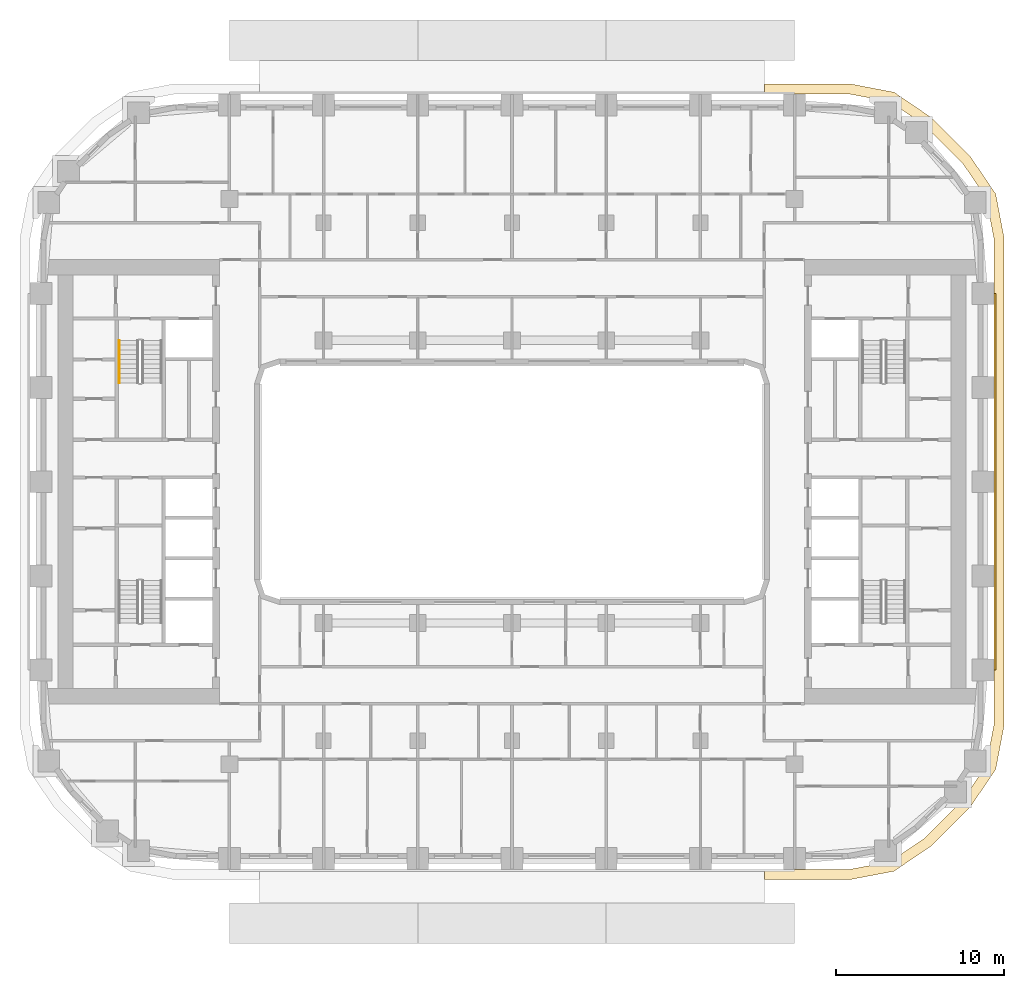
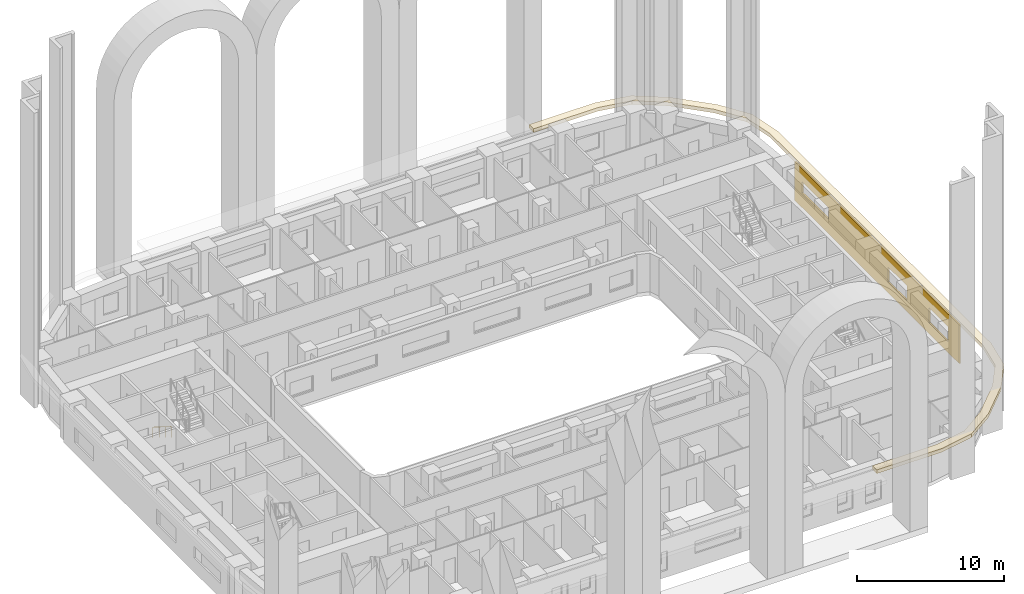
# One storey, part 16 of 19: 2 coverings, 1 railing.
"""IFC4 building model written with IfcOpenShell, lengths in metres."""

from ifc_helpers import new_model, si_unit, direction, frame, origin, origin_2d, place, context, subcontext, project, spatial, polyline, circle, outline, extrude, material, layer, layer_set, type_object, element, save


model = new_model("IFC4")

# Units and contexts
model_context = context("Model", 3, precision=1e-05, world=origin(), true_north=direction((0.0, 1.0)))
body_context = subcontext(model_context, "Body", "Model", "MODEL_VIEW")
ifc_project = project(units=[si_unit("LENGTHUNIT", "METRE"), si_unit("AREAUNIT", "SQUARE_METRE"), si_unit("VOLUMEUNIT", "CUBIC_METRE"), si_unit("PLANEANGLEUNIT", "RADIAN"), si_unit("MASSUNIT", "GRAM", prefix="KILO")], contexts=[model_context])

# Site, building, storey
site_placement = place(None, origin())
site = spatial("IfcSite", under=ifc_project, at=site_placement, CompositionType="ELEMENT")
building_placement = place(site_placement, origin())
building = spatial("IfcBuilding", under=site, at=building_placement, Name="Kiln Ring Residences", CompositionType="ELEMENT")
storey_placement = place(building_placement, frame((0.0, 0.0, 83.300048828125)))
storey = spatial("IfcBuildingStorey", under=building, at=storey_placement, Name="L20", CompositionType="ELEMENT", Elevation=83.300048828125)

# Railing
ifc_material_1 = material(Name="Stainless steel", Category="steel")
railing_type = type_object("IfcRailingType", Name="CORE-STAIR-HANDRAIL", PredefinedType="HANDRAIL", material=ifc_material_1)
railing_placement = place(storey_placement, frame((-23.35009765625, 8.39990234375, 0.175048828125)))
element("IfcRailing", 1, at=railing_placement, inside=storey, type_object=railing_type, Name="L20 W-STN stair handrail 1", PredefinedType="HANDRAIL", context=body_context, shape_type="SweptSolid", body=[
    extrude(circle(Radius=0.02392578125, at=origin_2d()), frame((0.0, 0.0, 0.8759765625), z_axis=(0.0, -0.848007534815, 0.529984170421), x_axis=(1.0, 0.0, 0.0)), (0.0, 0.0, 1.0), 2.9716796875),
    extrude(circle(Radius=0.02099609375, at=origin_2d()), origin(), (0.0, 0.0, 1.0), 0.851806640625),
    extrude(circle(Radius=0.02099609375, at=origin_2d()), frame((0.0, -0.840087890625, 0.52490234375)), (0.0, 0.0, 1.0), 0.851806640625),
    extrude(circle(Radius=0.02099609375, at=origin_2d()), frame((0.0, -1.679931640625, 1.050048828125)), (0.0, 0.0, 1.0), 0.851806640625),
    extrude(circle(Radius=0.02099609375, at=origin_2d()), frame((0.0, -2.52001953125, 1.574951171875)), (0.0, 0.0, 1.0), 0.851806640625),
])

# Coverings
ifc_material_2 = material(Name="Brick masonry, dark clay brick", Category="masonry")
ifc_layer_1 = layer(ifc_material_2, 0.1201171875)
ifc_layer_set_1 = layer_set([ifc_layer_1], Name="RAINSCREEN PANEL 120")
covering_type_1 = type_object("IfcCoveringType", Name="RAINSCREEN PANEL 120", PredefinedType="CLADDING", material=ifc_layer_set_1)
covering_1_placement = place(storey_placement, frame((28.7099609375, -11.199951171875, 0.0), z_axis=(0.0, 0.0, 1.0), x_axis=(0.0, 1.0, 0.0)))
element("IfcCovering", 2, at=covering_1_placement, inside=storey, type_object=covering_type_1, Name="RAINSCREEN L20", PredefinedType="CLADDING", context=body_context, shape_type="SweptSolid", body=[
    extrude(outline(polyline([(0.0, 0.0), (22.39990234375, 0.0), (22.39990234375, 3.199951171875), (0.0, 3.199951171875), (0.0, 0.0)]), holes=[polyline([(4.10009765625, 2.14990234375), (1.5, 2.14990234375), (1.5, 0.89990234375), (4.10009765625, 0.89990234375), (4.10009765625, 2.14990234375)]), polyline([(9.699951171875, 0.89990234375), (9.699951171875, 2.14990234375), (7.10009765625, 2.14990234375), (7.10009765625, 0.89990234375), (9.699951171875, 0.89990234375)]), polyline([(21.39990234375, 1.199951171875), (21.39990234375, 2.14990234375), (17.800048828125, 2.14990234375), (17.800048828125, 1.199951171875), (21.39990234375, 1.199951171875)])]), frame((0.0, 0.06005859375, 0.0), z_axis=(0.0, -1.0, 0.0), x_axis=(1.0, 0.0, 0.0)), (0.0, 0.0, 1.0), 0.1201171875),
])
ifc_material_3 = material(Name="Black powder-coated steel", Category="steel")
ifc_layer_2 = layer(ifc_material_3, 0.300048828125)
ifc_layer_set_2 = layer_set([ifc_layer_2], Name="SUNSHADE FIN 600")
covering_type_2 = type_object("IfcCoveringType", Name="SUNSHADE FIN 600", PredefinedType="CLADDING", material=ifc_layer_set_2)
covering_2_placement = place(storey_placement, frame((0.0, 0.0, 3.199951171875)))
element("IfcCovering", 3, at=covering_2_placement, inside=storey, type_object=covering_type_2, Name="SUNSHADE FIN L20", PredefinedType="CLADDING", context=body_context, shape_type="SweptSolid", body=[
    extrude(outline(polyline([(20.1181640625, 23.64990234375), (15.0, 23.64990234375), (15.0, 23.050048828125), (20.061279296875, 23.050048828125), (22.478271484375, 22.589111328125), (24.51318359375, 21.2060546875), (26.805908203125, 18.9130859375), (28.18896484375, 16.87841796875), (28.64990234375, 14.46142578125), (28.64990234375, -14.46142578125), (28.18896484375, -16.87841796875), (26.805908203125, -18.9130859375), (24.51318359375, -21.2060546875), (22.478271484375, -22.589111328125), (20.061279296875, -23.050048828125), (15.0, -23.050048828125), (15.0, -23.64990234375), (20.1181640625, -23.64990234375), (22.712890625, -23.155029296875), (24.8974609375, -21.67041015625), (27.2705078125, -19.29736328125), (28.755126953125, -17.11279296875), (29.25, -14.51806640625), (29.25, 14.51806640625), (28.755126953125, 17.11279296875), (27.2705078125, 19.29736328125), (24.8974609375, 21.67041015625), (22.712890625, 23.155029296875), (20.1181640625, 23.64990234375)])), origin(), (0.0, 0.0, 1.0), 0.300048828125),
])

save(model, "model.ifc")
